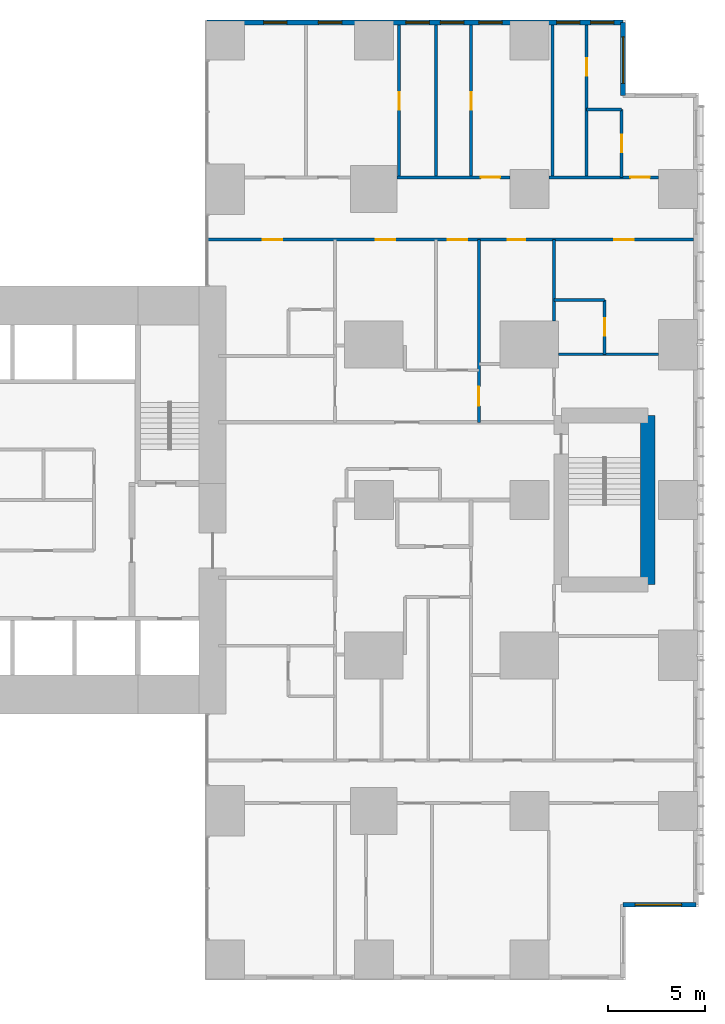
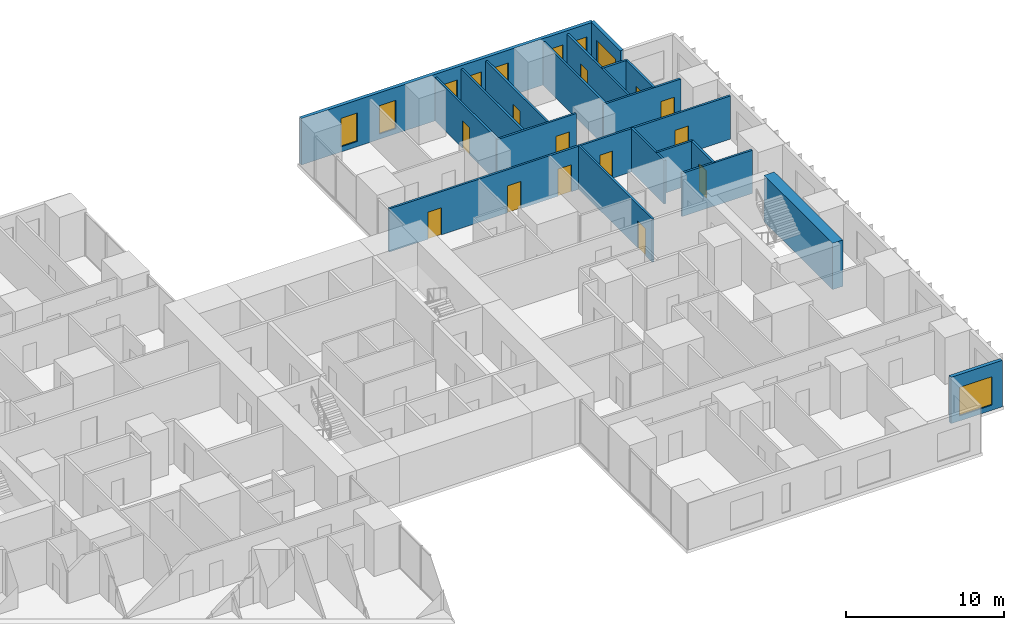
# One storey, part 18 of 20: 19 walls, 13 doors, 9 windows, 22 openings.
"""IFC4 building model written with IfcOpenShell, lengths in metres."""

from ifc_helpers import new_model, si_unit, direction, frame, frame_2d, origin, place, context, subcontext, project, spatial, rectangle, extrude, material, layer, layer_set, type_object, element, fill, save


model = new_model("IFC4")

# Units and contexts
model_context = context("Model", 3, precision=1e-05, world=origin(), true_north=direction((0.0, 1.0)))
body_context = subcontext(model_context, "Body", "Model", "MODEL_VIEW")
ifc_project = project(units=[si_unit("LENGTHUNIT", "METRE"), si_unit("AREAUNIT", "SQUARE_METRE"), si_unit("VOLUMEUNIT", "CUBIC_METRE"), si_unit("PLANEANGLEUNIT", "RADIAN"), si_unit("MASSUNIT", "GRAM", prefix="KILO")], contexts=[model_context])

# Site, building, storey
site_placement = place(None, origin())
site = spatial("IfcSite", under=ifc_project, at=site_placement, CompositionType="ELEMENT")
building_placement = place(site_placement, origin())
building = spatial("IfcBuilding", under=site, at=building_placement, Name="Cleftline Residences", CompositionType="ELEMENT")
storey_placement = place(building_placement, frame((0.0, 0.0, 135.800048828125)))
storey = spatial("IfcBuildingStorey", under=building, at=storey_placement, Name="L35", CompositionType="ELEMENT", Elevation=135.800048828125)

# Wall, opening, window
ifc_material_1 = material(Name="Rendered reinforced concrete blockwork", Category="masonry")
ifc_layer_1 = layer(ifc_material_1, 0.25)
ifc_layer_set_1 = layer_set([ifc_layer_1], Name="EXTERNAL WALL 250")
wall_type_1 = type_object("IfcWallType", Name="EXTERNAL WALL 250", PredefinedType="SOLIDWALL", material=ifc_layer_set_1)
wall_1_placement = place(storey_placement, frame((62.824951171875, 3.175048828125, 0.0), z_axis=(0.0, 0.0, 1.0), x_axis=(1.0, 0.0, 0.0)))
wall_1 = element("IfcWall", 1, at=wall_1_placement, inside=storey, type_object=wall_type_1, Name="External wall", PredefinedType="SOLIDWALL", context=body_context, shape_type="SweptSolid", body=[
    extrude(rectangle(XDim=3.75, YDim=0.25, at=frame_2d((1.875, 0.0))), origin(), (0.0, 0.0, 1.0), 3.599853515625),
])
opening_1_placement = place(wall_1_placement, frame((0.612548828125, 0.0, 0.39990234375)))
opening_1 = element("IfcOpeningElement", 2, at=opening_1_placement, cuts=wall_1, Name="Opening W12", PredefinedType="OPENING", context=body_context, shape_type="SweptSolid", body=[
    extrude(rectangle(XDim=2.39990234375, YDim=2.199951171875, at=frame_2d((1.199951171875, 1.10009765625))), frame((0.0, 0.135009765625, 0.0), z_axis=(0.0, -1.0, 0.0), x_axis=(1.0, 0.0, 0.0)), (0.0, 0.0, 1.0), 0.27001953125),
])
ifc_material_2 = material(Name="Aluminium frame, clear double glazing", Category="aluminium")
window_type_1 = type_object("IfcWindowType", Name="WINDOW 2400X2200", PartitioningType="DOUBLE_PANEL_VERTICAL", PredefinedType="WINDOW", material=ifc_material_2)
window_1_placement = place(opening_1_placement, origin())
window_1 = element("IfcWindow", 3, at=window_1_placement, inside=storey, type_object=window_type_1, Name="Window", OverallHeight=2.199951171875, OverallWidth=2.39990234375, PartitioningType="SINGLE_PANEL", PredefinedType="WINDOW", context=body_context, shape_type="SweptSolid", body=[
    extrude(rectangle(XDim=2.39990234375, YDim=2.199951171875, at=frame_2d((1.199951171875, 1.10009765625))), frame((0.0, 0.030029296875, 0.0), z_axis=(0.0, -1.0, 0.0), x_axis=(1.0, 0.0, 0.0)), (0.0, 0.0, 1.0), 0.06005859375),
])
fill(opening_1, window_1)

wall_2_placement = place(storey_placement, frame((62.824951171875, 44.824951171875, 0.0), z_axis=(0.0, 0.0, 1.0), x_axis=(0.0, 1.0, 0.0)))
wall_2 = element("IfcWall", 4, at=wall_2_placement, inside=storey, type_object=wall_type_1, Name="External wall", PredefinedType="SOLIDWALL", context=body_context, shape_type="SweptSolid", body=[
    extrude(rectangle(XDim=3.75, YDim=0.25, at=frame_2d((1.875, 0.0))), origin(), (0.0, 0.0, 1.0), 3.599853515625),
])
opening_2_placement = place(wall_2_placement, frame((0.612548828125, 0.0, 0.39990234375)))
opening_2 = element("IfcOpeningElement", 5, at=opening_2_placement, cuts=wall_2, Name="Opening W12", PredefinedType="OPENING", context=body_context, shape_type="SweptSolid", body=[
    extrude(rectangle(XDim=2.39990234375, YDim=2.199951171875, at=frame_2d((1.199951171875, 1.10009765625))), frame((0.0, 0.135009765625, 0.0), z_axis=(0.0, -1.0, 0.0), x_axis=(1.0, 0.0, 0.0)), (0.0, 0.0, 1.0), 0.27001953125),
])
window_2_placement = place(opening_2_placement, origin())
window_2 = element("IfcWindow", 6, at=window_2_placement, inside=storey, type_object=window_type_1, Name="Window", OverallHeight=2.199951171875, OverallWidth=2.39990234375, PartitioningType="SINGLE_PANEL", PredefinedType="WINDOW", context=body_context, shape_type="SweptSolid", body=[
    extrude(rectangle(XDim=2.39990234375, YDim=2.199951171875, at=frame_2d((1.199951171875, 1.10009765625))), frame((0.0, 0.030029296875, 0.0), z_axis=(0.0, -1.0, 0.0), x_axis=(1.0, 0.0, 0.0)), (0.0, 0.0, 1.0), 0.06005859375),
])
fill(opening_2, window_2)

# Wall, openings, windows
wall_3_placement = place(storey_placement, frame((62.824951171875, 48.574951171875, 0.0), z_axis=(0.0, 0.0, 1.0), x_axis=(-1.0, 0.0, 0.0)))
wall_3 = element("IfcWall", 7, at=wall_3_placement, inside=storey, type_object=wall_type_1, Name="External wall", PredefinedType="SOLIDWALL", context=body_context, shape_type="SweptSolid", body=[
    extrude(rectangle(XDim=21.39990234375, YDim=0.25, at=frame_2d((10.699951171875, 0.0))), origin(), (0.0, 0.0, 1.0), 3.599853515625),
])
opening_3_placement = place(wall_3_placement, frame((0.47509765625, 0.0, 0.39990234375)))
opening_3 = element("IfcOpeningElement", 8, at=opening_3_placement, cuts=wall_3, Name="Opening W11", PredefinedType="OPENING", context=body_context, shape_type="SweptSolid", body=[
    extrude(rectangle(XDim=1.199951171875, YDim=2.199951171875, at=frame_2d((0.60009765625, 1.10009765625))), frame((0.0, 0.135009765625, 0.0), z_axis=(0.0, -1.0, 0.0), x_axis=(1.0, 0.0, 0.0)), (0.0, 0.0, 1.0), 0.27001953125),
])
opening_4_placement = place(wall_3_placement, frame((2.22509765625, 0.0, 0.39990234375)))
opening_4 = element("IfcOpeningElement", 9, at=opening_4_placement, cuts=wall_3, Name="Opening W11", PredefinedType="OPENING", context=body_context, shape_type="SweptSolid", body=[
    extrude(rectangle(XDim=1.199951171875, YDim=2.199951171875, at=frame_2d((0.60009765625, 1.10009765625))), frame((0.0, 0.135009765625, 0.0), z_axis=(0.0, -1.0, 0.0), x_axis=(1.0, 0.0, 0.0)), (0.0, 0.0, 1.0), 0.27001953125),
])
opening_5_placement = place(wall_3_placement, frame((6.22509765625, 0.0, 0.39990234375)))
opening_5 = element("IfcOpeningElement", 10, at=opening_5_placement, cuts=wall_3, Name="Opening W11", PredefinedType="OPENING", context=body_context, shape_type="SweptSolid", body=[
    extrude(rectangle(XDim=1.199951171875, YDim=2.199951171875, at=frame_2d((0.60009765625, 1.10009765625))), frame((0.0, 0.135009765625, 0.0), z_axis=(0.0, -1.0, 0.0), x_axis=(1.0, 0.0, 0.0)), (0.0, 0.0, 1.0), 0.27001953125),
])
opening_6_placement = place(wall_3_placement, frame((8.199951171875, 0.0, 0.39990234375)))
opening_6 = element("IfcOpeningElement", 11, at=opening_6_placement, cuts=wall_3, Name="Opening W11", PredefinedType="OPENING", context=body_context, shape_type="SweptSolid", body=[
    extrude(rectangle(XDim=1.199951171875, YDim=2.199951171875, at=frame_2d((0.60009765625, 1.10009765625))), frame((0.0, 0.135009765625, 0.0), z_axis=(0.0, -1.0, 0.0), x_axis=(1.0, 0.0, 0.0)), (0.0, 0.0, 1.0), 0.27001953125),
])
opening_7_placement = place(wall_3_placement, frame((9.97509765625, 0.0, 0.39990234375)))
opening_7 = element("IfcOpeningElement", 12, at=opening_7_placement, cuts=wall_3, Name="Opening W11", PredefinedType="OPENING", context=body_context, shape_type="SweptSolid", body=[
    extrude(rectangle(XDim=1.199951171875, YDim=2.199951171875, at=frame_2d((0.60009765625, 1.10009765625))), frame((0.0, 0.135009765625, 0.0), z_axis=(0.0, -1.0, 0.0), x_axis=(1.0, 0.0, 0.0)), (0.0, 0.0, 1.0), 0.27001953125),
])
opening_8_placement = place(wall_3_placement, frame((14.47509765625, 0.0, 0.39990234375)))
opening_8 = element("IfcOpeningElement", 13, at=opening_8_placement, cuts=wall_3, Name="Opening W11", PredefinedType="OPENING", context=body_context, shape_type="SweptSolid", body=[
    extrude(rectangle(XDim=1.199951171875, YDim=2.199951171875, at=frame_2d((0.60009765625, 1.10009765625))), frame((0.0, 0.135009765625, 0.0), z_axis=(0.0, -1.0, 0.0), x_axis=(1.0, 0.0, 0.0)), (0.0, 0.0, 1.0), 0.27001953125),
])
opening_9_placement = place(wall_3_placement, frame((17.300048828125, 0.0, 0.39990234375)))
opening_9 = element("IfcOpeningElement", 14, at=opening_9_placement, cuts=wall_3, Name="Opening W11", PredefinedType="OPENING", context=body_context, shape_type="SweptSolid", body=[
    extrude(rectangle(XDim=1.199951171875, YDim=2.199951171875, at=frame_2d((0.60009765625, 1.10009765625))), frame((0.0, 0.135009765625, 0.0), z_axis=(0.0, -1.0, 0.0), x_axis=(1.0, 0.0, 0.0)), (0.0, 0.0, 1.0), 0.27001953125),
])
ifc_material_3 = material(Name="Aluminium frame, clear double glazing", Category="aluminium")
window_type_2 = type_object("IfcWindowType", Name="WINDOW 1200X2200", PartitioningType="DOUBLE_PANEL_VERTICAL", PredefinedType="WINDOW", material=ifc_material_3)
window_3_placement = place(opening_3_placement, origin())
window_3 = element("IfcWindow", 15, at=window_3_placement, inside=storey, type_object=window_type_2, Name="Window", OverallHeight=2.199951171875, OverallWidth=1.199951171875, PartitioningType="SINGLE_PANEL", PredefinedType="WINDOW", context=body_context, shape_type="SweptSolid", body=[
    extrude(rectangle(XDim=1.199951171875, YDim=2.199951171875, at=frame_2d((0.60009765625, 1.10009765625))), frame((0.0, 0.030029296875, 0.0), z_axis=(0.0, -1.0, 0.0), x_axis=(1.0, 0.0, 0.0)), (0.0, 0.0, 1.0), 0.06005859375),
])
fill(opening_3, window_3)
window_4_placement = place(opening_4_placement, origin())
window_4 = element("IfcWindow", 16, at=window_4_placement, inside=storey, type_object=window_type_2, Name="Window", OverallHeight=2.199951171875, OverallWidth=1.199951171875, PartitioningType="SINGLE_PANEL", PredefinedType="WINDOW", context=body_context, shape_type="SweptSolid", body=[
    extrude(rectangle(XDim=1.199951171875, YDim=2.199951171875, at=frame_2d((0.60009765625, 1.10009765625))), frame((0.0, 0.030029296875, 0.0), z_axis=(0.0, -1.0, 0.0), x_axis=(1.0, 0.0, 0.0)), (0.0, 0.0, 1.0), 0.06005859375),
])
fill(opening_4, window_4)
window_5_placement = place(opening_5_placement, origin())
window_5 = element("IfcWindow", 17, at=window_5_placement, inside=storey, type_object=window_type_2, Name="Window", OverallHeight=2.199951171875, OverallWidth=1.199951171875, PartitioningType="SINGLE_PANEL", PredefinedType="WINDOW", context=body_context, shape_type="SweptSolid", body=[
    extrude(rectangle(XDim=1.199951171875, YDim=2.199951171875, at=frame_2d((0.60009765625, 1.10009765625))), frame((0.0, 0.030029296875, 0.0), z_axis=(0.0, -1.0, 0.0), x_axis=(1.0, 0.0, 0.0)), (0.0, 0.0, 1.0), 0.06005859375),
])
fill(opening_5, window_5)
window_6_placement = place(opening_6_placement, origin())
window_6 = element("IfcWindow", 18, at=window_6_placement, inside=storey, type_object=window_type_2, Name="Window", OverallHeight=2.199951171875, OverallWidth=1.199951171875, PartitioningType="SINGLE_PANEL", PredefinedType="WINDOW", context=body_context, shape_type="SweptSolid", body=[
    extrude(rectangle(XDim=1.199951171875, YDim=2.199951171875, at=frame_2d((0.60009765625, 1.10009765625))), frame((0.0, 0.030029296875, 0.0), z_axis=(0.0, -1.0, 0.0), x_axis=(1.0, 0.0, 0.0)), (0.0, 0.0, 1.0), 0.06005859375),
])
fill(opening_6, window_6)
window_7_placement = place(opening_7_placement, origin())
window_7 = element("IfcWindow", 19, at=window_7_placement, inside=storey, type_object=window_type_2, Name="Window", OverallHeight=2.199951171875, OverallWidth=1.199951171875, PartitioningType="SINGLE_PANEL", PredefinedType="WINDOW", context=body_context, shape_type="SweptSolid", body=[
    extrude(rectangle(XDim=1.199951171875, YDim=2.199951171875, at=frame_2d((0.60009765625, 1.10009765625))), frame((0.0, 0.030029296875, 0.0), z_axis=(0.0, -1.0, 0.0), x_axis=(1.0, 0.0, 0.0)), (0.0, 0.0, 1.0), 0.06005859375),
])
fill(opening_7, window_7)
window_8_placement = place(opening_8_placement, origin())
window_8 = element("IfcWindow", 20, at=window_8_placement, inside=storey, type_object=window_type_2, Name="Window", OverallHeight=2.199951171875, OverallWidth=1.199951171875, PartitioningType="SINGLE_PANEL", PredefinedType="WINDOW", context=body_context, shape_type="SweptSolid", body=[
    extrude(rectangle(XDim=1.199951171875, YDim=2.199951171875, at=frame_2d((0.60009765625, 1.10009765625))), frame((0.0, 0.030029296875, 0.0), z_axis=(0.0, -1.0, 0.0), x_axis=(1.0, 0.0, 0.0)), (0.0, 0.0, 1.0), 0.06005859375),
])
fill(opening_8, window_8)
window_9_placement = place(opening_9_placement, origin())
window_9 = element("IfcWindow", 21, at=window_9_placement, inside=storey, type_object=window_type_2, Name="Window", OverallHeight=2.199951171875, OverallWidth=1.199951171875, PartitioningType="SINGLE_PANEL", PredefinedType="WINDOW", context=body_context, shape_type="SweptSolid", body=[
    extrude(rectangle(XDim=1.199951171875, YDim=2.199951171875, at=frame_2d((0.60009765625, 1.10009765625))), frame((0.0, 0.030029296875, 0.0), z_axis=(0.0, -1.0, 0.0), x_axis=(1.0, 0.0, 0.0)), (0.0, 0.0, 1.0), 0.06005859375),
])
fill(opening_9, window_9)

# Walls
ifc_material_4 = material(Name="Gypsum board on steel studs", Category="steel")
ifc_layer_2 = layer(ifc_material_4, 0.14990234375)
ifc_layer_set_2 = layer_set([ifc_layer_2], Name="PARTITION 150")
wall_type_2 = type_object("IfcWallType", Name="PARTITION 150", PredefinedType="PARTITIONING", material=ifc_layer_set_2)
wall_4_placement = place(storey_placement, frame((59.5, 31.5, 0.0), z_axis=(0.0, 0.0, 1.0), x_axis=(1.0, 0.0, 0.0)))
element("IfcWall", 22, at=wall_4_placement, inside=storey, type_object=wall_type_2, Name="Partition", PredefinedType="PARTITIONING", context=body_context, shape_type="SweptSolid", body=[
    extrude(rectangle(XDim=5.14990234375, YDim=0.14990234375, at=frame_2d((2.574951171875, 0.0))), origin(), (0.0, 0.0, 1.0), 3.349853515625),
])
wall_5_placement = place(storey_placement, frame((59.27490234375, 34.300048828125, 0.0), z_axis=(0.0, 0.0, 1.0), x_axis=(1.0, 0.0, 0.0)))
element("IfcWall", 23, at=wall_5_placement, inside=storey, type_object=wall_type_2, Name="Partition", PredefinedType="PARTITIONING", context=body_context, shape_type="SweptSolid", body=[
    extrude(rectangle(XDim=2.60009765625, YDim=0.14990234375, at=frame_2d((1.300048828125, 0.0))), origin(), (0.0, 0.0, 1.0), 3.349853515625),
])

# Wall, openings, doors
wall_6_placement = place(storey_placement, frame((41.43896484375, 37.39990234375, 0.0), z_axis=(0.0, 0.0, 1.0), x_axis=(1.0, 0.0, 0.0)))
wall_6 = element("IfcWall", 24, at=wall_6_placement, inside=storey, type_object=wall_type_2, Name="Partition", PredefinedType="PARTITIONING", context=body_context, shape_type="SweptSolid", body=[
    extrude(rectangle(XDim=25.010986328125, YDim=0.14990234375, at=frame_2d((12.50537109375, 0.0))), origin(), (0.0, 0.0, 1.0), 3.349853515625),
])
opening_10_placement = place(wall_6_placement, frame((12.361083984375, 0.0, 0.0)))
opening_10 = element("IfcOpeningElement", 25, at=opening_10_placement, cuts=wall_6, Name="Opening D2F30", PredefinedType="OPENING", context=body_context, shape_type="SweptSolid", body=[
    extrude(rectangle(XDim=1.0, YDim=2.10009765625, at=frame_2d((0.5, 1.050048828125))), frame((0.0, 0.0849609375, 0.0), z_axis=(0.0, -1.0, 0.0), x_axis=(1.0, 0.0, 0.0)), (0.0, 0.0, 1.0), 0.169921875),
])
opening_11_placement = place(wall_6_placement, frame((20.923583984375, 0.0, 0.0)))
opening_11 = element("IfcOpeningElement", 26, at=opening_11_placement, cuts=wall_6, Name="Opening D2F30", PredefinedType="OPENING", context=body_context, shape_type="SweptSolid", body=[
    extrude(rectangle(XDim=1.0, YDim=2.10009765625, at=frame_2d((0.5, 1.050048828125))), frame((0.0, 0.0849609375, 0.0), z_axis=(0.0, -1.0, 0.0), x_axis=(1.0, 0.0, 0.0)), (0.0, 0.0, 1.0), 0.169921875),
])
opening_12_placement = place(wall_6_placement, frame((15.448486328125, 0.0, 0.0)))
opening_12 = element("IfcOpeningElement", 27, at=opening_12_placement, cuts=wall_6, Name="Opening D1F30", PredefinedType="OPENING", context=body_context, shape_type="SweptSolid", body=[
    extrude(rectangle(XDim=0.89990234375, YDim=2.10009765625, at=frame_2d((0.449951171875, 1.050048828125))), frame((0.0, 0.0849609375, 0.0), z_axis=(0.0, -1.0, 0.0), x_axis=(1.0, 0.0, 0.0)), (0.0, 0.0, 1.0), 0.169921875),
])
opening_13_placement = place(wall_6_placement, frame((8.660888671875, 0.0, 0.0)))
opening_13 = element("IfcOpeningElement", 28, at=opening_13_placement, cuts=wall_6, Name="Opening D2F30", PredefinedType="OPENING", context=body_context, shape_type="SweptSolid", body=[
    extrude(rectangle(XDim=1.0, YDim=2.10009765625, at=frame_2d((0.5, 1.050048828125))), frame((0.0, 0.0849609375, 0.0), z_axis=(0.0, -1.0, 0.0), x_axis=(1.0, 0.0, 0.0)), (0.0, 0.0, 1.0), 0.169921875),
])
opening_14_placement = place(wall_6_placement, frame((2.8359375, 0.0, 0.0)))
opening_14 = element("IfcOpeningElement", 29, at=opening_14_placement, cuts=wall_6, Name="Opening D2F30", PredefinedType="OPENING", context=body_context, shape_type="SweptSolid", body=[
    extrude(rectangle(XDim=1.0, YDim=2.10009765625, at=frame_2d((0.5, 1.050048828125))), frame((0.0, 0.0849609375, 0.0), z_axis=(0.0, -1.0, 0.0), x_axis=(1.0, 0.0, 0.0)), (0.0, 0.0, 1.0), 0.169921875),
])
ifc_material_5 = material(Name="Timber veneer on solid core", Category="wood")
door_type_1 = type_object("IfcDoorType", Name="DOOR 1000X2100 EI 30", OperationType="SINGLE_SWING_LEFT", PredefinedType="DOOR", material=ifc_material_5)
door_1_placement = place(opening_10_placement, origin())
door_1 = element("IfcDoor", 30, at=door_1_placement, inside=storey, type_object=door_type_1, Name="Door to residence corridor (bedrooms)", OperationType="SINGLE_SWING_LEFT", OverallHeight=2.10009765625, OverallWidth=1.0, PredefinedType="DOOR", context=body_context, shape_type="SweptSolid", body=[
    extrude(rectangle(XDim=1.0, YDim=2.10009765625, at=frame_2d((0.5, 1.050048828125))), frame((0.0, 0.02490234375, 0.0), z_axis=(0.0, -1.0, 0.0), x_axis=(1.0, 0.0, 0.0)), (0.0, 0.0, 1.0), 0.050048828125),
])
fill(opening_10, door_1)
door_2_placement = place(opening_11_placement, origin())
door_2 = element("IfcDoor", 31, at=door_2_placement, inside=storey, type_object=door_type_1, Name="Door to master bedroom", OperationType="SINGLE_SWING_LEFT", OverallHeight=2.10009765625, OverallWidth=1.0, PredefinedType="DOOR", context=body_context, shape_type="SweptSolid", body=[
    extrude(rectangle(XDim=1.0, YDim=2.10009765625, at=frame_2d((0.5, 1.050048828125))), frame((0.0, 0.02490234375, 0.0), z_axis=(0.0, -1.0, 0.0), x_axis=(1.0, 0.0, 0.0)), (0.0, 0.0, 1.0), 0.050048828125),
])
fill(opening_11, door_2)
door_3_placement = place(opening_13_placement, origin())
door_3 = element("IfcDoor", 32, at=door_3_placement, inside=storey, type_object=door_type_1, Name="Door to media room", OperationType="SINGLE_SWING_RIGHT", OverallHeight=2.10009765625, OverallWidth=1.0, PredefinedType="DOOR", context=body_context, shape_type="SweptSolid", body=[
    extrude(rectangle(XDim=1.0, YDim=2.10009765625, at=frame_2d((0.5, 1.050048828125))), frame((0.0, 0.02490234375, 0.0), z_axis=(0.0, -1.0, 0.0), x_axis=(1.0, 0.0, 0.0)), (0.0, 0.0, 1.0), 0.050048828125),
])
fill(opening_13, door_3)
door_4_placement = place(opening_14_placement, origin())
door_4 = element("IfcDoor", 33, at=door_4_placement, inside=storey, type_object=door_type_1, Name="Door to staff bedroom", OperationType="SINGLE_SWING_RIGHT", OverallHeight=2.10009765625, OverallWidth=1.0, PredefinedType="DOOR", context=body_context, shape_type="SweptSolid", body=[
    extrude(rectangle(XDim=1.0, YDim=2.10009765625, at=frame_2d((0.5, 1.050048828125))), frame((0.0, 0.02490234375, 0.0), z_axis=(0.0, -1.0, 0.0), x_axis=(1.0, 0.0, 0.0)), (0.0, 0.0, 1.0), 0.050048828125),
])
fill(opening_14, door_4)
ifc_material_6 = material(Name="Timber veneer on solid core", Category="wood")
door_type_2 = type_object("IfcDoorType", Name="DOOR 900X2100 EI 30", OperationType="SINGLE_SWING_LEFT", PredefinedType="DOOR", material=ifc_material_6)
door_5_placement = place(opening_12_placement, origin())
door_5 = element("IfcDoor", 34, at=door_5_placement, inside=storey, type_object=door_type_2, Name="Door to guest bathroom", OperationType="SINGLE_SWING_LEFT", OverallHeight=2.10009765625, OverallWidth=0.89990234375, PredefinedType="DOOR", context=body_context, shape_type="SweptSolid", body=[
    extrude(rectangle(XDim=0.89990234375, YDim=2.10009765625, at=frame_2d((0.449951171875, 1.050048828125))), frame((0.0, 0.02490234375, 0.0), z_axis=(0.0, -1.0, 0.0), x_axis=(1.0, 0.0, 0.0)), (0.0, 0.0, 1.0), 0.050048828125),
])
fill(opening_12, door_5)

# Wall, opening, door
wall_7_placement = place(storey_placement, frame((51.199951171875, 40.60009765625, 0.0), z_axis=(0.0, 0.0, 1.0), x_axis=(1.0, 0.0, 0.0)))
wall_7 = element("IfcWall", 35, at=wall_7_placement, inside=storey, type_object=wall_type_2, Name="Partition", PredefinedType="PARTITIONING", context=body_context, shape_type="SweptSolid", body=[
    extrude(rectangle(XDim=5.800048828125, YDim=0.14990234375, at=frame_2d((2.89990234375, 0.0))), origin(), (0.0, 0.0, 1.0), 3.349853515625),
])
opening_15_placement = place(wall_7_placement, frame((4.300048828125, 0.0, 0.0)))
opening_15 = element("IfcOpeningElement", 36, at=opening_15_placement, cuts=wall_7, Name="Opening D2", PredefinedType="OPENING", context=body_context, shape_type="SweptSolid", body=[
    extrude(rectangle(XDim=1.0, YDim=2.10009765625, at=frame_2d((0.5, 1.050048828125))), frame((0.0, 0.0849609375, 0.0), z_axis=(0.0, -1.0, 0.0), x_axis=(1.0, 0.0, 0.0)), (0.0, 0.0, 1.0), 0.169921875),
])
ifc_material_7 = material(Name="Timber veneer on solid core", Category="wood")
door_type_3 = type_object("IfcDoorType", Name="DOOR 1000X2100", OperationType="SINGLE_SWING_LEFT", PredefinedType="DOOR", material=ifc_material_7)
door_6_placement = place(opening_15_placement, origin())
door_6 = element("IfcDoor", 37, at=door_6_placement, inside=storey, type_object=door_type_3, Name="Door to bedroom 3", OperationType="SINGLE_SWING_LEFT", OverallHeight=2.10009765625, OverallWidth=1.0, PredefinedType="DOOR", context=body_context, shape_type="SweptSolid", body=[
    extrude(rectangle(XDim=1.0, YDim=2.10009765625, at=frame_2d((0.5, 1.050048828125))), frame((0.0, 0.02490234375, 0.0), z_axis=(0.0, -1.0, 0.0), x_axis=(1.0, 0.0, 0.0)), (0.0, 0.0, 1.0), 0.050048828125),
])
fill(opening_15, door_6)

wall_8_placement = place(storey_placement, frame((59.0, 40.60009765625, 0.0), z_axis=(0.0, 0.0, 1.0), x_axis=(1.0, 0.0, 0.0)))
wall_8 = element("IfcWall", 38, at=wall_8_placement, inside=storey, type_object=wall_type_2, Name="Partition", PredefinedType="PARTITIONING", context=body_context, shape_type="SweptSolid", body=[
    extrude(rectangle(XDim=5.64990234375, YDim=0.14990234375, at=frame_2d((2.824951171875, 0.0))), origin(), (0.0, 0.0, 1.0), 3.349853515625),
])
opening_16_placement = place(wall_8_placement, frame((4.199951171875, 0.0, 0.0)))
opening_16 = element("IfcOpeningElement", 39, at=opening_16_placement, cuts=wall_8, Name="Opening D2", PredefinedType="OPENING", context=body_context, shape_type="SweptSolid", body=[
    extrude(rectangle(XDim=1.0, YDim=2.10009765625, at=frame_2d((0.5, 1.050048828125))), frame((0.0, 0.0849609375, 0.0), z_axis=(0.0, -1.0, 0.0), x_axis=(1.0, 0.0, 0.0)), (0.0, 0.0, 1.0), 0.169921875),
])
door_7_placement = place(opening_16_placement, origin())
door_7 = element("IfcDoor", 40, at=door_7_placement, inside=storey, type_object=door_type_3, Name="Door to bedroom 2", OperationType="SINGLE_SWING_LEFT", OverallHeight=2.10009765625, OverallWidth=1.0, PredefinedType="DOOR", context=body_context, shape_type="SweptSolid", body=[
    extrude(rectangle(XDim=1.0, YDim=2.10009765625, at=frame_2d((0.5, 1.050048828125))), frame((0.0, 0.02490234375, 0.0), z_axis=(0.0, -1.0, 0.0), x_axis=(1.0, 0.0, 0.0)), (0.0, 0.0, 1.0), 0.050048828125),
])
fill(opening_16, door_7)

# Wall
wall_9_placement = place(storey_placement, frame((60.949951171875, 44.10009765625, 0.0), z_axis=(0.0, 0.0, 1.0), x_axis=(1.0, 0.0, 0.0)))
element("IfcWall", 41, at=wall_9_placement, inside=storey, type_object=wall_type_2, Name="Partition", PredefinedType="PARTITIONING", context=body_context, shape_type="SweptSolid", body=[
    extrude(rectangle(XDim=1.800048828125, YDim=0.14990234375, at=frame_2d((0.89990234375, 0.0))), origin(), (0.0, 0.0, 1.0), 3.349853515625),
])

# Wall, opening, door
wall_10_placement = place(storey_placement, frame((51.300048828125, 40.60009765625, 0.0), z_axis=(0.0, 0.0, 1.0), x_axis=(0.0, 1.0, 0.0)))
wall_10 = element("IfcWall", 42, at=wall_10_placement, inside=storey, type_object=wall_type_2, Name="Partition", PredefinedType="PARTITIONING", context=body_context, shape_type="SweptSolid", body=[
    extrude(rectangle(XDim=7.849853515625, YDim=0.14990234375, at=frame_2d((3.9248046875, 0.0))), origin(), (0.0, 0.0, 1.0), 3.349853515625),
])
opening_17_placement = place(wall_10_placement, frame((3.47509765625, 0.0, 0.0)))
opening_17 = element("IfcOpeningElement", 43, at=opening_17_placement, cuts=wall_10, Name="Opening D1", PredefinedType="OPENING", context=body_context, shape_type="SweptSolid", body=[
    extrude(rectangle(XDim=0.89990234375, YDim=2.10009765625, at=frame_2d((0.449951171875, 1.050048828125))), frame((0.0, 0.0849609375, 0.0), z_axis=(0.0, -1.0, 0.0), x_axis=(1.0, 0.0, 0.0)), (0.0, 0.0, 1.0), 0.169921875),
])
ifc_material_8 = material(Name="Timber veneer on solid core", Category="wood")
door_type_4 = type_object("IfcDoorType", Name="DOOR 900X2100", OperationType="SINGLE_SWING_LEFT", PredefinedType="DOOR", material=ifc_material_8)
door_8_placement = place(opening_17_placement, origin())
door_8 = element("IfcDoor", 44, at=door_8_placement, inside=storey, type_object=door_type_4, Name="Door to en-suite bathroom 4", OperationType="SINGLE_SWING_LEFT", OverallHeight=2.10009765625, OverallWidth=0.89990234375, PredefinedType="DOOR", context=body_context, shape_type="SweptSolid", body=[
    extrude(rectangle(XDim=0.89990234375, YDim=2.10009765625, at=frame_2d((0.449951171875, 1.050048828125))), frame((0.0, 0.02490234375, 0.0), z_axis=(0.0, -1.0, 0.0), x_axis=(1.0, 0.0, 0.0)), (0.0, 0.0, 1.0), 0.050048828125),
])
fill(opening_17, door_8)

# Wall
wall_11_placement = place(storey_placement, frame((53.199951171875, 40.60009765625, 0.0), z_axis=(0.0, 0.0, 1.0), x_axis=(0.0, 1.0, 0.0)))
element("IfcWall", 45, at=wall_11_placement, inside=storey, type_object=wall_type_2, Name="Partition", PredefinedType="PARTITIONING", context=body_context, shape_type="SweptSolid", body=[
    extrude(rectangle(XDim=7.849853515625, YDim=0.14990234375, at=frame_2d((3.9248046875, 0.0))), origin(), (0.0, 0.0, 1.0), 3.349853515625),
])

# Wall, opening, door
wall_12_placement = place(storey_placement, frame((55.0, 40.60009765625, 0.0), z_axis=(0.0, 0.0, 1.0), x_axis=(0.0, 1.0, 0.0)))
wall_12 = element("IfcWall", 46, at=wall_12_placement, inside=storey, type_object=wall_type_2, Name="Partition", PredefinedType="PARTITIONING", context=body_context, shape_type="SweptSolid", body=[
    extrude(rectangle(XDim=7.849853515625, YDim=0.14990234375, at=frame_2d((3.9248046875, 0.0))), origin(), (0.0, 0.0, 1.0), 3.349853515625),
])
opening_18_placement = place(wall_12_placement, frame((3.47509765625, 0.0, 0.0)))
opening_18 = element("IfcOpeningElement", 47, at=opening_18_placement, cuts=wall_12, Name="Opening D1", PredefinedType="OPENING", context=body_context, shape_type="SweptSolid", body=[
    extrude(rectangle(XDim=0.89990234375, YDim=2.10009765625, at=frame_2d((0.449951171875, 1.050048828125))), frame((0.0, 0.0849609375, 0.0), z_axis=(0.0, -1.0, 0.0), x_axis=(1.0, 0.0, 0.0)), (0.0, 0.0, 1.0), 0.169921875),
])
door_9_placement = place(opening_18_placement, origin())
door_9 = element("IfcDoor", 48, at=door_9_placement, inside=storey, type_object=door_type_4, Name="Door to en-suite bathroom 3", OperationType="SINGLE_SWING_LEFT", OverallHeight=2.10009765625, OverallWidth=0.89990234375, PredefinedType="DOOR", context=body_context, shape_type="SweptSolid", body=[
    extrude(rectangle(XDim=0.89990234375, YDim=2.10009765625, at=frame_2d((0.449951171875, 1.050048828125))), frame((0.0, 0.02490234375, 0.0), z_axis=(0.0, -1.0, 0.0), x_axis=(1.0, 0.0, 0.0)), (0.0, 0.0, 1.0), 0.050048828125),
])
fill(opening_18, door_9)

wall_13_placement = place(storey_placement, frame((55.39990234375, 28.0, 0.0), z_axis=(0.0, 0.0, 1.0), x_axis=(0.0, 1.0, 0.0)))
wall_13 = element("IfcWall", 49, at=wall_13_placement, inside=storey, type_object=wall_type_2, Name="Partition", PredefinedType="PARTITIONING", context=body_context, shape_type="SweptSolid", body=[
    extrude(rectangle(XDim=9.39990234375, YDim=0.14990234375, at=frame_2d((4.699951171875, 0.0))), origin(), (0.0, 0.0, 1.0), 3.349853515625),
])
opening_19_placement = place(wall_13_placement, frame((0.83740234375, 0.0, 0.0)))
opening_19 = element("IfcOpeningElement", 50, at=opening_19_placement, cuts=wall_13, Name="Opening D2F30", PredefinedType="OPENING", context=body_context, shape_type="SweptSolid", body=[
    extrude(rectangle(XDim=1.0, YDim=2.10009765625, at=frame_2d((0.5, 1.050048828125))), frame((0.0, 0.0849609375, 0.0), z_axis=(0.0, -1.0, 0.0), x_axis=(1.0, 0.0, 0.0)), (0.0, 0.0, 1.0), 0.169921875),
])
door_10_placement = place(opening_19_placement, origin())
door_10 = element("IfcDoor", 51, at=door_10_placement, inside=storey, type_object=door_type_1, Name="Door to residence lobby (service)", OperationType="SINGLE_SWING_RIGHT", OverallHeight=2.10009765625, OverallWidth=1.0, PredefinedType="DOOR", context=body_context, shape_type="SweptSolid", body=[
    extrude(rectangle(XDim=1.0, YDim=2.10009765625, at=frame_2d((0.5, 1.050048828125))), frame((0.0, 0.02490234375, 0.0), z_axis=(0.0, -1.0, 0.0), x_axis=(1.0, 0.0, 0.0)), (0.0, 0.0, 1.0), 0.050048828125),
])
fill(opening_19, door_10)

# Walls
wall_14_placement = place(storey_placement, frame((59.199951171875, 40.60009765625, 0.0), z_axis=(0.0, 0.0, 1.0), x_axis=(0.0, 1.0, 0.0)))
element("IfcWall", 52, at=wall_14_placement, inside=storey, type_object=wall_type_2, Name="Partition", PredefinedType="PARTITIONING", context=body_context, shape_type="SweptSolid", body=[
    extrude(rectangle(XDim=7.849853515625, YDim=0.14990234375, at=frame_2d((3.9248046875, 0.0))), origin(), (0.0, 0.0, 1.0), 3.349853515625),
])
wall_15_placement = place(storey_placement, frame((59.27490234375, 33.199951171875, 0.0), z_axis=(0.0, 0.0, 1.0), x_axis=(0.0, 1.0, 0.0)))
element("IfcWall", 53, at=wall_15_placement, inside=storey, type_object=wall_type_2, Name="Partition", PredefinedType="PARTITIONING", context=body_context, shape_type="SweptSolid", body=[
    extrude(rectangle(XDim=4.199951171875, YDim=0.14990234375, at=frame_2d((2.10009765625, 0.0))), origin(), (0.0, 0.0, 1.0), 3.349853515625),
])

# Wall, opening, door
wall_16_placement = place(storey_placement, frame((60.949951171875, 40.60009765625, 0.0), z_axis=(0.0, 0.0, 1.0), x_axis=(0.0, 1.0, 0.0)))
wall_16 = element("IfcWall", 54, at=wall_16_placement, inside=storey, type_object=wall_type_2, Name="Partition", PredefinedType="PARTITIONING", context=body_context, shape_type="SweptSolid", body=[
    extrude(rectangle(XDim=7.849853515625, YDim=0.14990234375, at=frame_2d((3.9248046875, 0.0))), origin(), (0.0, 0.0, 1.0), 3.349853515625),
])
opening_20_placement = place(wall_16_placement, frame((5.22509765625, 0.0, 0.0)))
opening_20 = element("IfcOpeningElement", 55, at=opening_20_placement, cuts=wall_16, Name="Opening D1", PredefinedType="OPENING", context=body_context, shape_type="SweptSolid", body=[
    extrude(rectangle(XDim=0.89990234375, YDim=2.10009765625, at=frame_2d((0.449951171875, 1.050048828125))), frame((0.0, 0.0849609375, 0.0), z_axis=(0.0, -1.0, 0.0), x_axis=(1.0, 0.0, 0.0)), (0.0, 0.0, 1.0), 0.169921875),
])
door_11_placement = place(opening_20_placement, origin())
door_11 = element("IfcDoor", 56, at=door_11_placement, inside=storey, type_object=door_type_4, Name="Door to walk-in wardrobe", OperationType="SINGLE_SWING_LEFT", OverallHeight=2.10009765625, OverallWidth=0.89990234375, PredefinedType="DOOR", context=body_context, shape_type="SweptSolid", body=[
    extrude(rectangle(XDim=0.89990234375, YDim=2.10009765625, at=frame_2d((0.449951171875, 1.050048828125))), frame((0.0, 0.02490234375, 0.0), z_axis=(0.0, -1.0, 0.0), x_axis=(1.0, 0.0, 0.0)), (0.0, 0.0, 1.0), 0.050048828125),
])
fill(opening_20, door_11)

wall_17_placement = place(storey_placement, frame((61.875, 31.5, 0.0), z_axis=(0.0, 0.0, 1.0), x_axis=(0.0, 1.0, 0.0)))
wall_17 = element("IfcWall", 57, at=wall_17_placement, inside=storey, type_object=wall_type_2, Name="Partition", PredefinedType="PARTITIONING", context=body_context, shape_type="SweptSolid", body=[
    extrude(rectangle(XDim=2.800048828125, YDim=0.14990234375, at=frame_2d((1.39990234375, 0.0))), origin(), (0.0, 0.0, 1.0), 3.349853515625),
])
opening_21_placement = place(wall_17_placement, frame((0.949951171875, 0.0, 0.0)))
opening_21 = element("IfcOpeningElement", 58, at=opening_21_placement, cuts=wall_17, Name="Opening D1", PredefinedType="OPENING", context=body_context, shape_type="SweptSolid", body=[
    extrude(rectangle(XDim=0.89990234375, YDim=2.10009765625, at=frame_2d((0.449951171875, 1.050048828125))), frame((0.0, 0.0849609375, 0.0), z_axis=(0.0, -1.0, 0.0), x_axis=(1.0, 0.0, 0.0)), (0.0, 0.0, 1.0), 0.169921875),
])
door_12_placement = place(opening_21_placement, origin())
door_12 = element("IfcDoor", 59, at=door_12_placement, inside=storey, type_object=door_type_4, Name="Door to master bathroom", OperationType="SINGLE_SWING_LEFT", OverallHeight=2.10009765625, OverallWidth=0.89990234375, PredefinedType="DOOR", context=body_context, shape_type="SweptSolid", body=[
    extrude(rectangle(XDim=0.89990234375, YDim=2.10009765625, at=frame_2d((0.449951171875, 1.050048828125))), frame((0.0, 0.02490234375, 0.0), z_axis=(0.0, -1.0, 0.0), x_axis=(1.0, 0.0, 0.0)), (0.0, 0.0, 1.0), 0.050048828125),
])
fill(opening_21, door_12)

wall_18_placement = place(storey_placement, frame((62.75, 40.60009765625, 0.0), z_axis=(0.0, 0.0, 1.0), x_axis=(0.0, 1.0, 0.0)))
wall_18 = element("IfcWall", 60, at=wall_18_placement, inside=storey, type_object=wall_type_2, Name="Partition", PredefinedType="PARTITIONING", context=body_context, shape_type="SweptSolid", body=[
    extrude(rectangle(XDim=3.5, YDim=0.14990234375, at=frame_2d((1.75, 0.0))), origin(), (0.0, 0.0, 1.0), 3.349853515625),
])
opening_22_placement = place(wall_18_placement, frame((1.300048828125, 0.0, 0.0)))
opening_22 = element("IfcOpeningElement", 61, at=opening_22_placement, cuts=wall_18, Name="Opening D1", PredefinedType="OPENING", context=body_context, shape_type="SweptSolid", body=[
    extrude(rectangle(XDim=0.89990234375, YDim=2.10009765625, at=frame_2d((0.449951171875, 1.050048828125))), frame((0.0, 0.0849609375, 0.0), z_axis=(0.0, -1.0, 0.0), x_axis=(1.0, 0.0, 0.0)), (0.0, 0.0, 1.0), 0.169921875),
])
door_13_placement = place(opening_22_placement, origin())
door_13 = element("IfcDoor", 62, at=door_13_placement, inside=storey, type_object=door_type_4, Name="Door to en-suite bathroom 2", OperationType="SINGLE_SWING_LEFT", OverallHeight=2.10009765625, OverallWidth=0.89990234375, PredefinedType="DOOR", context=body_context, shape_type="SweptSolid", body=[
    extrude(rectangle(XDim=0.89990234375, YDim=2.10009765625, at=frame_2d((0.449951171875, 1.050048828125))), frame((0.0, 0.02490234375, 0.0), z_axis=(0.0, -1.0, 0.0), x_axis=(1.0, 0.0, 0.0)), (0.0, 0.0, 1.0), 0.050048828125),
])
fill(opening_22, door_13)

# Wall
ifc_material_9 = material(Name="Concrete B70", Category="concrete")
ifc_layer_3 = layer(ifc_material_9, 0.75)
ifc_layer_set_3 = layer_set([ifc_layer_3], Name="SHEAR WALL 750")
wall_type_3 = type_object("IfcWallType", Name="SHEAR WALL 750", PredefinedType="SHEAR", material=ifc_layer_set_3)
wall_19_placement = place(storey_placement, frame((64.10009765625, 19.64990234375, 0.0), z_axis=(0.0, 0.0, 1.0), x_axis=(0.0, 1.0, 0.0)))
element("IfcWall", 63, at=wall_19_placement, inside=storey, type_object=wall_type_3, Name="Wing shear wall", PredefinedType="SHEAR", context=body_context, shape_type="SweptSolid", body=[
    extrude(rectangle(XDim=8.7001953125, YDim=0.75, at=frame_2d((4.35009765625, 0.0))), origin(), (0.0, 0.0, 1.0), 3.599853515625),
])

save(model, "model.ifc")
